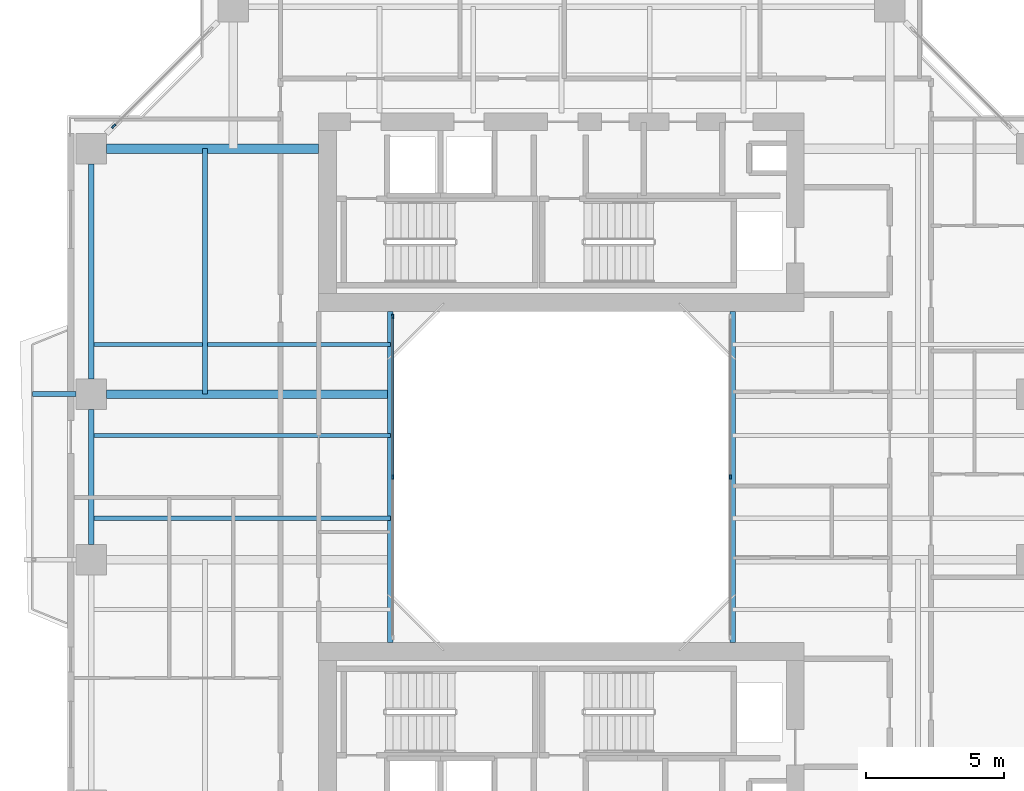
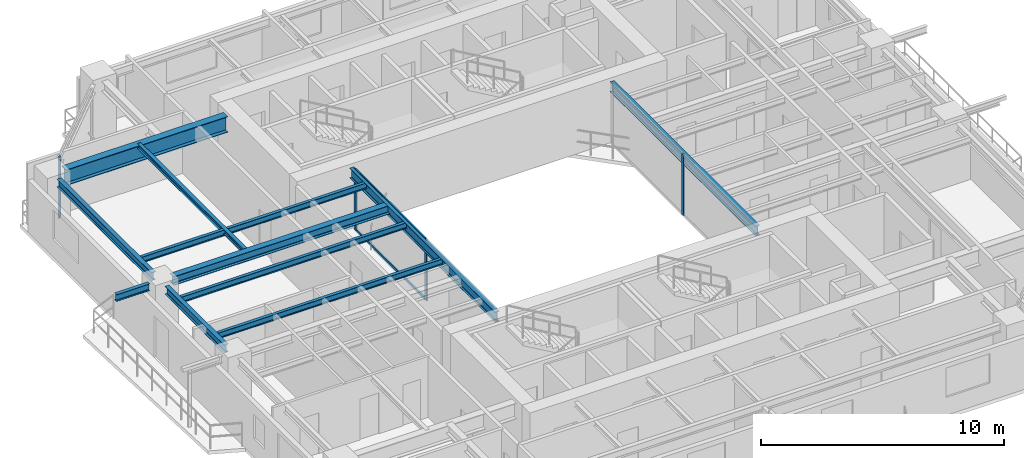
# One storey, part 5 of 23: 11 beams, 6 members, 3 elements without a shape of their own.
"""IFC4 building model written with IfcOpenShell, lengths in metres."""

from ifc_helpers import new_model, si_unit, direction, frame, origin, origin_2d, place, context, subcontext, project, spatial, rectangle, i_section, extrude, source, transform, mapped, material, layer, layer_set, material_profile, profile_set, type_object, element, aggregate, save


model = new_model("IFC4")

# Units and contexts
model_context = context("Model", 3, precision=1e-05, world=origin(), true_north=direction((0.0, 1.0)))
body_context = subcontext(model_context, "Body", "Model", "MODEL_VIEW")
ifc_project = project(units=[si_unit("LENGTHUNIT", "METRE"), si_unit("AREAUNIT", "SQUARE_METRE"), si_unit("VOLUMEUNIT", "CUBIC_METRE"), si_unit("PLANEANGLEUNIT", "RADIAN"), si_unit("MASSUNIT", "GRAM", prefix="KILO"), si_unit("THERMODYNAMICTEMPERATUREUNIT", "KELVIN"), si_unit("POWERUNIT", "WATT")], contexts=[model_context])

# Site, building, storey
site_placement = place(None, origin())
site = spatial("IfcSite", under=ifc_project, at=site_placement, CompositionType="ELEMENT")
building_placement = place(site_placement, origin())
building = spatial("IfcBuilding", under=site, at=building_placement, Name="Qiaomeng Ring Towers", CompositionType="ELEMENT")
storey_placement = place(building_placement, frame((0.0, 0.0, 100.25)))
storey = spatial("IfcBuildingStorey", under=building, at=storey_placement, Name="L28", CompositionType="ELEMENT", Elevation=100.25)

# Beams
ifc_material_1 = material(Name="Steel Q355B", Category="steel")
ifc_material_profile_1 = material_profile(ifc_material_1, i_section(OverallWidth=0.199951171875, OverallDepth=0.5, WebThickness=0.010009765625, FlangeThickness=0.01611328125, FilletRadius=0.02001953125, at=origin_2d()), Name="HN 500x200x10x16")
ifc_profile_set_1 = profile_set([ifc_material_profile_1], Name="Steel Q355B")
beam_type_1 = type_object("IfcBeamType", Name="STR-BM-HN500", PredefinedType="BEAM", material=ifc_profile_set_1)
shared_shape_1 = source(origin(), body_context, "Body", "SweptSolid", [
    extrude(i_section(OverallWidth=0.199951171875, OverallDepth=0.5, WebThickness=0.010009765625, FlangeThickness=0.01611328125, FilletRadius=0.02001953125, at=origin_2d()), origin(), (0.0, 0.0, 1.0), 12.0),
])
for number, where, z_axis, x_axis, name in (
    (1, (12.800048828125, 17.0, 2.820068359375), (0.0, 1.0, 0.0), (-1.0, 0.0, 0.0), "L28 beam STR-BM-L28-WELL-W"),
    (2, (25.199951171875, 17.0, 2.820068359375), (0.0, 1.0, 0.0), (-1.0, 0.0, 0.0), "L28 beam STR-BM-L28-WELL-E"),
):
    element("IfcBeam", number, at=place(storey_placement, frame(where, z_axis=z_axis, x_axis=x_axis)), inside=storey, type_object=beam_type_1, Name=name, PredefinedType="BEAM", context=body_context, shape_type="MappedRepresentation", body=[
        mapped(shared_shape_1, transform((0.0, 0.0, 0.0), x_axis=(1.0, 0.0, 0.0), y_axis=(0.0, 1.0, 0.0), z_axis=(0.0, 0.0, 1.0), scale=1.0)),
    ])
ifc_material_profile_2 = material_profile(ifc_material_1, i_section(OverallWidth=0.199951171875, OverallDepth=0.39990234375, WebThickness=0.008056640625, FlangeThickness=0.012939453125, FilletRadius=0.01611328125, at=origin_2d()), Name="HN 400x200x8x13")
ifc_profile_set_2 = profile_set([ifc_material_profile_2], Name="Steel Q355B")
beam_type_2 = type_object("IfcBeamType", Name="STR-BM-HN400", PredefinedType="SPANDREL", material=ifc_profile_set_2)
shared_shape_2 = source(origin(), body_context, "Body", "SweptSolid", [
    extrude(i_section(OverallWidth=0.199951171875, OverallDepth=0.39990234375, WebThickness=0.008056640625, FlangeThickness=0.012939453125, FilletRadius=0.01611328125, at=origin_2d()), origin(), (0.0, 0.0, 1.0), 7.802001953125),
])
beam_1_placement = place(storey_placement, frame((1.949951171875, 34.35107421875, 2.8701171875), z_axis=(0.0, -1.0, 0.0), x_axis=(1.0, 0.0, 0.0)))
element("IfcBeam", 3, at=beam_1_placement, inside=storey, type_object=beam_type_2, Name="L28 beam STR-SP-L28-T1-W4-W3", PredefinedType="SPANDREL", context=body_context, shape_type="MappedRepresentation", body=[
    mapped(shared_shape_2, transform((0.0, 0.0, 0.0), x_axis=(1.0, 0.0, 0.0), y_axis=(0.0, 1.0, 0.0), z_axis=(0.0, 0.0, 1.0), scale=1.0)),
])
shared_shape_3 = source(origin(), body_context, "Body", "SweptSolid", [
    extrude(i_section(OverallWidth=0.199951171875, OverallDepth=0.39990234375, WebThickness=0.008056640625, FlangeThickness=0.012939453125, FilletRadius=0.01611328125, at=origin_2d()), origin(), (0.0, 0.0, 1.0), 4.90185546875),
])
beam_2_placement = place(storey_placement, frame((1.949951171875, 25.450927734375, 2.8701171875), z_axis=(0.0, -1.0, 0.0), x_axis=(1.0, 0.0, 0.0)))
element("IfcBeam", 4, at=beam_2_placement, inside=storey, type_object=beam_type_2, Name="L28 beam STR-SP-L28-T1-W3-W2", PredefinedType="SPANDREL", context=body_context, shape_type="MappedRepresentation", body=[
    mapped(shared_shape_3, transform((0.0, 0.0, 0.0), x_axis=(1.0, 0.0, 0.0), y_axis=(0.0, 1.0, 0.0), z_axis=(0.0, 0.0, 1.0), scale=1.0)),
])
ifc_material_2 = material(Name="Steel Q390GJC", Category="steel")
ifc_material_profile_3 = material_profile(ifc_material_2, i_section(OverallWidth=0.35009765625, OverallDepth=0.800048828125, WebThickness=0.01611328125, FlangeThickness=0.028076171875, at=origin_2d()), Name="WH 800x350x16x28")
ifc_profile_set_3 = profile_set([ifc_material_profile_3], Name="Steel Q390GJC")
beam_type_3 = type_object("IfcBeamType", Name="STR-BM-WH800", PredefinedType="BEAM", material=ifc_profile_set_3)
shared_shape_4 = source(origin(), body_context, "Body", "SweptSolid", [
    extrude(i_section(OverallWidth=0.35009765625, OverallDepth=0.800048828125, WebThickness=0.01611328125, FlangeThickness=0.028076171875, at=origin_2d()), origin(), (0.0, 0.0, 1.0), 7.700927734375),
])
beam_3_placement = place(storey_placement, frame((2.4990234375, 34.89990234375, 2.669921875), z_axis=(1.0, 0.0, 0.0), x_axis=(0.0, 1.0, 0.0)))
element("IfcBeam", 5, at=beam_3_placement, inside=storey, type_object=beam_type_3, Name="L28 beam STR-BM-L28-T1-RAD-W4", PredefinedType="BEAM", context=body_context, shape_type="MappedRepresentation", body=[
    mapped(shared_shape_4, transform((0.0, 0.0, 0.0), x_axis=(1.0, 0.0, 0.0), y_axis=(0.0, 1.0, 0.0), z_axis=(0.0, 0.0, 1.0), scale=1.0)),
])
ifc_material_profile_4 = material_profile(ifc_material_1, i_section(OverallWidth=0.300048828125, OverallDepth=0.43994140625, WebThickness=0.010986328125, FlangeThickness=0.01806640625, FilletRadius=0.02392578125, at=origin_2d()), Name="HM 440x300x11x18")
ifc_profile_set_4 = profile_set([ifc_material_profile_4], Name="Steel Q355B")
beam_type_4 = type_object("IfcBeamType", Name="STR-BM-HM440", PredefinedType="BEAM", material=ifc_profile_set_4)
shared_shape_5 = source(origin(), body_context, "Body", "SweptSolid", [
    extrude(i_section(OverallWidth=0.300048828125, OverallDepth=0.43994140625, WebThickness=0.010986328125, FlangeThickness=0.01806640625, FilletRadius=0.02392578125, at=origin_2d()), origin(), (0.0, 0.0, 1.0), 10.301025390625),
])
beam_4_placement = place(storey_placement, frame((2.4990234375, 26.0, 2.85009765625), z_axis=(1.0, 0.0, 0.0), x_axis=(0.0, 1.0, 0.0)))
element("IfcBeam", 6, at=beam_4_placement, inside=storey, type_object=beam_type_4, Name="L28 beam STR-BM-L28-T1-RAD-W3", PredefinedType="BEAM", context=body_context, shape_type="MappedRepresentation", body=[
    mapped(shared_shape_5, transform((0.0, 0.0, 0.0), x_axis=(1.0, 0.0, 0.0), y_axis=(0.0, 1.0, 0.0), z_axis=(0.0, 0.0, 1.0), scale=1.0)),
])
ifc_material_profile_5 = material_profile(ifc_material_1, i_section(OverallWidth=0.175048828125, OverallDepth=0.35009765625, WebThickness=0.007080078125, FlangeThickness=0.010986328125, FilletRadius=0.013916015625, at=origin_2d()), Name="HN 350x175x7x11")
ifc_profile_set_5 = profile_set([ifc_material_profile_5], Name="Steel Q355B")
beam_type_5 = type_object("IfcBeamType", Name="STR-BM-HN350", PredefinedType="JOIST", material=ifc_profile_set_5)
shared_shape_6 = source(origin(), body_context, "Body", "SweptSolid", [
    extrude(i_section(OverallWidth=0.175048828125, OverallDepth=0.35009765625, WebThickness=0.007080078125, FlangeThickness=0.010986328125, FilletRadius=0.013916015625, at=origin_2d()), origin(), (0.0, 0.0, 1.0), 1.580810546875),
])
beam_5_placement = place(storey_placement, frame((-0.179931640625, 26.0, 2.89501953125), z_axis=(1.0, 0.0, 0.0), x_axis=(0.0, 1.0, 0.0)))
element("IfcBeam", 7, at=beam_5_placement, inside=storey, type_object=beam_type_5, Name="L28 beam STR-BALBM-L28-W3", PredefinedType="JOIST", context=body_context, shape_type="MappedRepresentation", body=[
    mapped(shared_shape_6, transform((0.0, 0.0, 0.0), x_axis=(1.0, 0.0, 0.0), y_axis=(0.0, 1.0, 0.0), z_axis=(0.0, 0.0, 1.0), scale=1.0)),
])
ifc_material_profile_6 = material_profile(ifc_material_1, i_section(OverallWidth=0.14990234375, OverallDepth=0.300048828125, WebThickness=0.006591796875, FlangeThickness=0.009033203125, FilletRadius=0.012939453125, at=origin_2d()), Name="HN 300x150x6.5x9")
ifc_profile_set_6 = profile_set([ifc_material_profile_6], Name="Steel Q355B")
beam_type_6 = type_object("IfcBeamType", Name="STR-BM-HN300", PredefinedType="JOIST", material=ifc_profile_set_6)
shared_shape_7 = source(origin(), body_context, "Body", "SweptSolid", [
    extrude(i_section(OverallWidth=0.14990234375, OverallDepth=0.300048828125, WebThickness=0.006591796875, FlangeThickness=0.009033203125, FilletRadius=0.012939453125, at=origin_2d()), origin(), (0.0, 0.0, 1.0), 10.85009765625),
])
for number, where, z_axis, x_axis, name in (
    (8, (1.949951171875, 21.5, 2.919921875), (1.0, 0.0, 0.0), (0.0, 1.0, 0.0), "L28 beam STR-JST-L28-T1W-2"),
    (9, (1.949951171875, 24.5, 2.919921875), (1.0, 0.0, 0.0), (0.0, 1.0, 0.0), "L28 beam STR-JST-L28-T1W-3"),
    (10, (1.949951171875, 27.800048828125, 2.919921875), (1.0, 0.0, 0.0), (0.0, 1.0, 0.0), "L28 beam STR-JST-L28-T1W-4"),
):
    element("IfcBeam", number, at=place(storey_placement, frame(where, z_axis=z_axis, x_axis=x_axis)), inside=storey, type_object=beam_type_6, Name=name, PredefinedType="JOIST", context=body_context, shape_type="MappedRepresentation", body=[
        mapped(shared_shape_7, transform((0.0, 0.0, 0.0), x_axis=(1.0, 0.0, 0.0), y_axis=(0.0, 1.0, 0.0), z_axis=(0.0, 0.0, 1.0), scale=1.0)),
    ])
ifc_material_profile_7 = material_profile(ifc_material_1, i_section(OverallWidth=0.175048828125, OverallDepth=0.243896484375, WebThickness=0.007080078125, FlangeThickness=0.010986328125, FilletRadius=0.01611328125, at=origin_2d()), Name="HM 244x175x7x11")
ifc_profile_set_7 = profile_set([ifc_material_profile_7], Name="Steel Q355B")
beam_type_7 = type_object("IfcBeamType", Name="STR-BM-HM244", PredefinedType="JOIST", material=ifc_profile_set_7)
shared_shape_8 = source(origin(), body_context, "Body", "SweptSolid", [
    extrude(i_section(OverallWidth=0.175048828125, OverallDepth=0.243896484375, WebThickness=0.007080078125, FlangeThickness=0.010986328125, FilletRadius=0.01611328125, at=origin_2d()), origin(), (0.0, 0.0, 1.0), 8.89990234375),
])
beam_6_placement = place(storey_placement, frame((6.074951171875, 26.0, 2.947998046875), z_axis=(0.0, 1.0, 0.0), x_axis=(-1.0, 0.0, 0.0)))
element("IfcBeam", 11, at=beam_6_placement, inside=storey, type_object=beam_type_7, Name="L28 beam STR-JST-L28-T1C-WN", PredefinedType="JOIST", context=body_context, shape_type="MappedRepresentation", body=[
    mapped(shared_shape_8, transform((0.0, 0.0, 0.0), x_axis=(1.0, 0.0, 0.0), y_axis=(0.0, 1.0, 0.0), z_axis=(0.0, 0.0, 1.0), scale=1.0)),
])

# Curtain wall, members
ifc_material_3 = material(Name="Fluorocarbon dark-grey aluminium", Category="aluminium")
ifc_layer_1 = layer(ifc_material_3, 0.139892578125, Name="Fluorocarbon dark-grey aluminium")
ifc_layer_set_1 = layer_set([ifc_layer_1], Name="Fluorocarbon dark-grey aluminium")
curtain_wall_type_1 = type_object("IfcCurtainWallType", Name="ARC-CW-4", PredefinedType="NOTDEFINED", material=ifc_layer_set_1)
curtain_wall_1_placement = place(storey_placement, origin())
curtain_wall_1 = element("IfcCurtainWall", 12, at=curtain_wall_1_placement, inside=storey, type_object=curtain_wall_type_1, Name="L28 Curtain Wall CW4", PredefinedType="NOTDEFINED")
ifc_material_profile_8 = material_profile(ifc_material_3, rectangle(XDim=0.06494140625, YDim=0.159912109375, at=origin_2d()), Name="ALU MULL 65x160")
ifc_profile_set_8 = profile_set([ifc_material_profile_8], Name="Fluorocarbon dark-grey aluminium")
member_type_1 = type_object("IfcMemberType", Name="ARC-CWM-140", PredefinedType="MULLION", material=ifc_profile_set_8)
shared_shape_9 = source(origin(), body_context, "Body", "SweptSolid", [
    extrude(rectangle(XDim=0.06494140625, YDim=0.159912109375, at=origin_2d()), origin(), (0.0, 0.0, 1.0), 3.070068359375),
])
member_1_placement = place(storey_placement, frame((12.8798828125, 23.0, 0.0), z_axis=(0.0, 0.0, 1.0), x_axis=(-1.0, 0.0, 0.0)))
member_1 = element("IfcMember", 13, at=member_1_placement, type_object=member_type_1, Name="CW4 mullion 2", PredefinedType="MULLION", context=body_context, shape_type="MappedRepresentation", body=[
    mapped(shared_shape_9, transform((0.0, 0.0, 0.0), x_axis=(1.0, 0.0, 0.0), y_axis=(0.0, 1.0, 0.0), z_axis=(0.0, 0.0, 1.0), scale=1.0)),
])
member_2_placement = place(storey_placement, frame((12.8798828125, 28.8173828125, 0.0), z_axis=(0.0, 0.0, 1.0), x_axis=(-1.0, 0.0, 0.0)))
member_2 = element("IfcMember", 14, at=member_2_placement, type_object=member_type_1, Name="CW4 mullion 3", PredefinedType="MULLION", context=body_context, shape_type="MappedRepresentation", body=[
    mapped(shared_shape_9, transform((0.0, 0.0, 0.0), x_axis=(1.0, 0.0, 0.0), y_axis=(0.0, 1.0, 0.0), z_axis=(0.0, 0.0, 1.0), scale=1.0)),
])

# Curtain wall, member
curtain_wall_2_placement = place(storey_placement, origin())
curtain_wall_2 = element("IfcCurtainWall", 15, at=curtain_wall_2_placement, inside=storey, type_object=curtain_wall_type_1, Name="L28 Curtain Wall CW4", PredefinedType="NOTDEFINED")
member_3_placement = place(storey_placement, frame((25.1201171875, 23.0, 0.0), z_axis=(0.0, 0.0, 1.0), x_axis=(-1.0, 0.0, 0.0)))
member_3 = element("IfcMember", 16, at=member_3_placement, type_object=member_type_1, Name="CW4 mullion 2", PredefinedType="MULLION", context=body_context, shape_type="MappedRepresentation", body=[
    mapped(shared_shape_9, transform((0.0, 0.0, 0.0), x_axis=(1.0, 0.0, 0.0), y_axis=(0.0, 1.0, 0.0), z_axis=(0.0, 0.0, 1.0), scale=1.0)),
])
aggregate(curtain_wall_2, [member_3])

# Member
ifc_material_profile_9 = material_profile(ifc_material_3, rectangle(XDim=0.06494140625, YDim=0.1298828125, at=origin_2d()), Name="ALU TRAN 65x130")
ifc_profile_set_9 = profile_set([ifc_material_profile_9], Name="Fluorocarbon dark-grey aluminium")
member_type_2 = type_object("IfcMemberType", Name="ARC-CWT-120", PredefinedType="USERDEFINED", material=ifc_profile_set_9)
shared_shape_10 = source(origin(), body_context, "Body", "SweptSolid", [
    extrude(rectangle(XDim=0.06494140625, YDim=0.1298828125, at=origin_2d()), origin(), (0.0, 0.0, 1.0), 5.75244140625),
])
member_4_placement = place(storey_placement, frame((12.8798828125, 23.032470703125, 0.032470703125), z_axis=(0.0, 1.0, 0.0), x_axis=(-1.0, 0.0, 0.0)))
member_4 = element("IfcMember", 17, at=member_4_placement, type_object=member_type_2, Name="CW4 transom 2.1", ObjectType="TRANSOM", PredefinedType="USERDEFINED", context=body_context, shape_type="MappedRepresentation", body=[
    mapped(shared_shape_10, transform((0.0, 0.0, 0.0), x_axis=(1.0, 0.0, 0.0), y_axis=(0.0, 1.0, 0.0), z_axis=(0.0, 0.0, 1.0), scale=1.0)),
])

member_5_placement = place(storey_placement, frame((12.8798828125, 23.032470703125, 3.03759765625), z_axis=(0.0, 1.0, 0.0), x_axis=(-1.0, 0.0, 0.0)))
member_5 = element("IfcMember", 18, at=member_5_placement, type_object=member_type_2, Name="CW4 transom 2.2", ObjectType="TRANSOM", PredefinedType="USERDEFINED", context=body_context, shape_type="MappedRepresentation", body=[
    mapped(shared_shape_10, transform((0.0, 0.0, 0.0), x_axis=(1.0, 0.0, 0.0), y_axis=(0.0, 1.0, 0.0), z_axis=(0.0, 0.0, 1.0), scale=1.0)),
])

aggregate(curtain_wall_1, [member_1, member_2, member_4, member_5])

# Curtain wall, member
ifc_layer_2 = layer(ifc_material_3, 0.14990234375, Name="Fluorocarbon dark-grey aluminium")
ifc_layer_set_2 = layer_set([ifc_layer_2], Name="Fluorocarbon dark-grey aluminium")
curtain_wall_type_2 = type_object("IfcCurtainWallType", Name="ARC-CW-3", PredefinedType="NOTDEFINED", material=ifc_layer_set_2)
curtain_wall_3_placement = place(storey_placement, origin())
curtain_wall_3 = element("IfcCurtainWall", 19, at=curtain_wall_3_placement, inside=storey, type_object=curtain_wall_type_2, Name="L28 Curtain Wall CW3", PredefinedType="NOTDEFINED")
ifc_material_profile_10 = material_profile(ifc_material_3, rectangle(XDim=0.070068359375, YDim=0.179931640625, at=origin_2d()), Name="ALU MULL 70x180")
ifc_profile_set_10 = profile_set([ifc_material_profile_10], Name="Fluorocarbon dark-grey aluminium")
member_type_3 = type_object("IfcMemberType", Name="ARC-CWM-160", PredefinedType="MULLION", material=ifc_profile_set_10)
shared_shape_11 = source(origin(), body_context, "Body", "SweptSolid", [
    extrude(rectangle(XDim=0.070068359375, YDim=0.179931640625, at=origin_2d()), origin(), (0.0, 0.0, 1.0), 3.070068359375),
])
member_6_placement = place(storey_placement, frame((2.7646484375, 35.71484375, 0.0), z_axis=(0.0, 0.0, 1.0), x_axis=(0.707106781187, -0.707106781187, 0.0)))
member_6 = element("IfcMember", 20, at=member_6_placement, type_object=member_type_3, Name="CW3 mullion 2", PredefinedType="MULLION", context=body_context, shape_type="MappedRepresentation", body=[
    mapped(shared_shape_11, transform((0.0, 0.0, 0.0), x_axis=(1.0, 0.0, 0.0), y_axis=(0.0, 1.0, 0.0), z_axis=(0.0, 0.0, 1.0), scale=1.0)),
])
aggregate(curtain_wall_3, [member_6])

save(model, "model.ifc")
